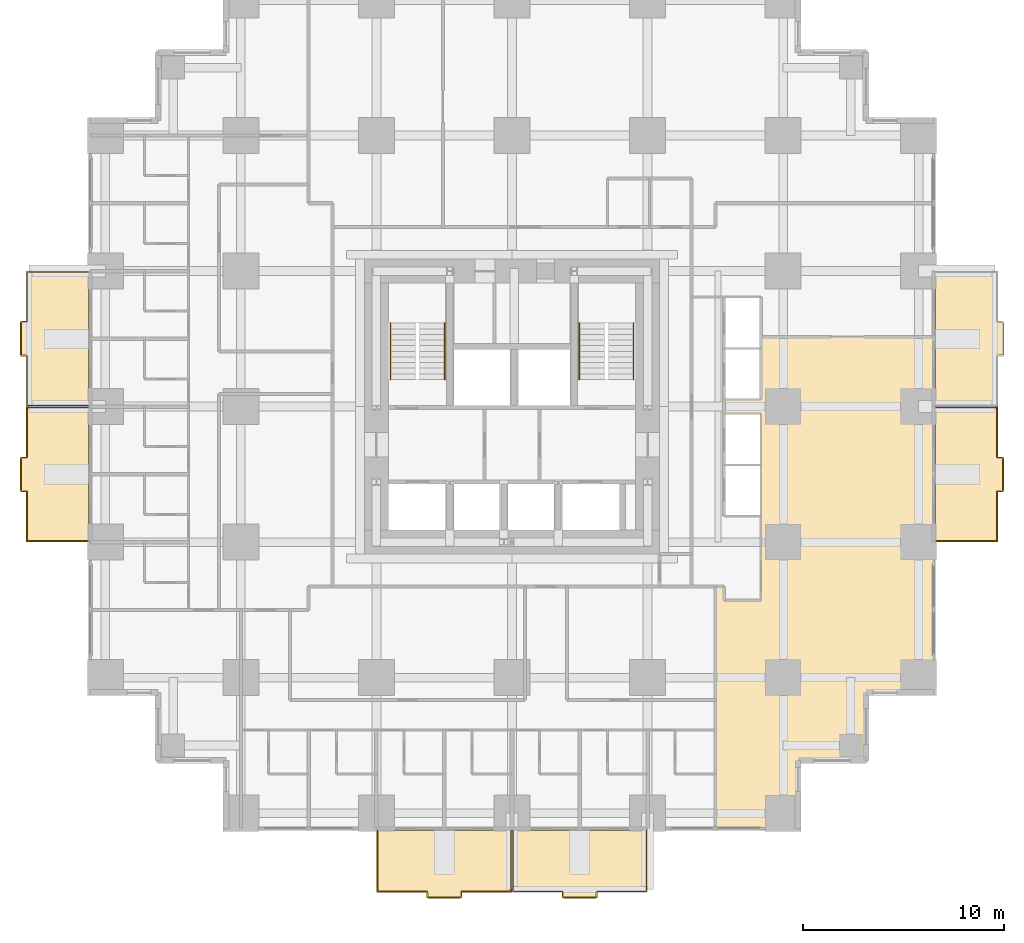
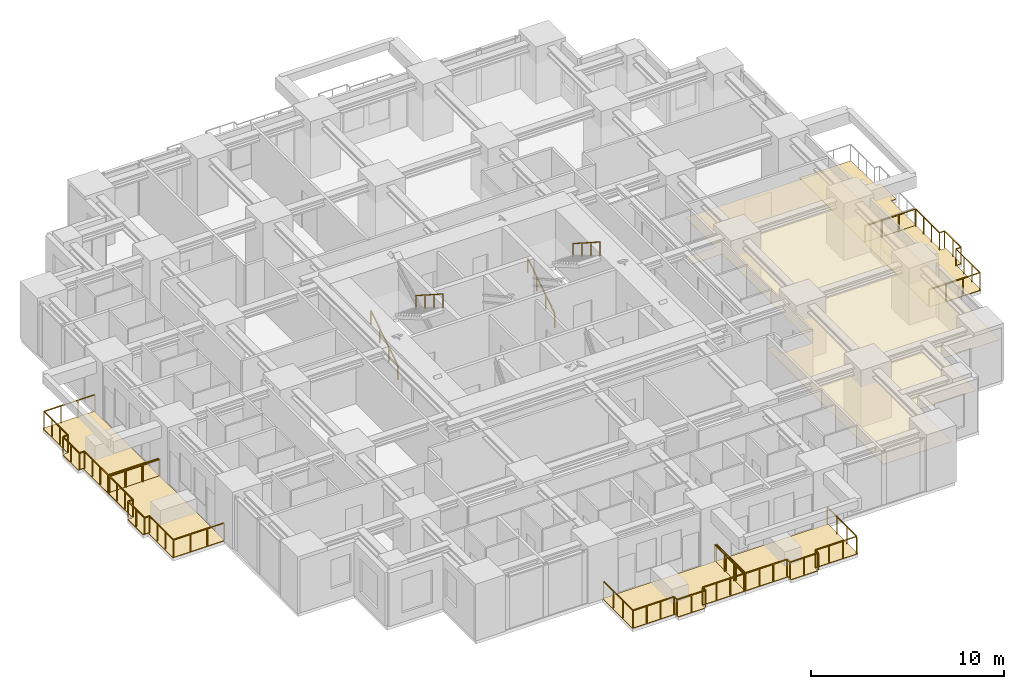
# One storey, part 12 of 13: 9 railings, 7 coverings.
"""IFC4 building model written with IfcOpenShell, lengths in metres."""

from ifc_helpers import new_model, si_unit, direction, frame, origin, origin_2d, place, context, subcontext, project, spatial, polyline, rectangle, outline, extrude, material, layer, layer_set, type_object, element, save


model = new_model("IFC4")

# Units and contexts
model_context = context("Model", 3, precision=1e-05, world=origin(), true_north=direction((0.0, 1.0)))
body_context = subcontext(model_context, "Body", "Model", "MODEL_VIEW")
ifc_project = project(units=[si_unit("LENGTHUNIT", "METRE"), si_unit("AREAUNIT", "SQUARE_METRE"), si_unit("VOLUMEUNIT", "CUBIC_METRE"), si_unit("PLANEANGLEUNIT", "RADIAN"), si_unit("MASSUNIT", "GRAM", prefix="KILO")], contexts=[model_context])

# Site, building, storey
site_placement = place(None, origin())
site = spatial("IfcSite", under=ifc_project, at=site_placement, CompositionType="ELEMENT")
building_placement = place(site_placement, origin())
building = spatial("IfcBuilding", under=site, at=building_placement, Name="Nyansa Garden Tower", CompositionType="ELEMENT")
storey_placement = place(building_placement, frame((0.0, 0.0, 46.800048828125)))
storey = spatial("IfcBuildingStorey", under=building, at=storey_placement, Name="L12", CompositionType="ELEMENT", Elevation=46.800048828125)

# Coverings
ifc_material_1 = material(Name="Perforated timber acoustic ceiling", Category="wood")
ifc_layer_1 = layer(ifc_material_1, 0.02001953125)
ifc_layer_set_1 = layer_set([ifc_layer_1], Name="Acoustic ceiling CL20")
covering_type_1 = type_object("IfcCoveringType", Name="Acoustic ceiling CL20", PredefinedType="CEILING", material=ifc_layer_set_1)
covering_1_placement = place(storey_placement, frame((0.0, 0.0, 2.5048828125)))
element("IfcCovering", 1, at=covering_1_placement, inside=storey, type_object=covering_type_1, Name="Ceiling L12-038", PredefinedType="CEILING", context=body_context, shape_type="SweptSolid", body=[
    extrude(outline(polyline([(30.375, -0.75), (30.375, 11.300048828125), (30.800048828125, 11.300048828125), (30.800048828125, 10.60009765625), (32.64990234375, 10.60009765625), (32.64990234375, 19.89990234375), (30.800048828125, 19.89990234375), (30.800048828125, 20.60009765625), (32.64990234375, 20.60009765625), (32.64990234375, 23.7197265625), (41.25, 23.7197265625), (41.25, 6.0), (37.875, 6.0), (37.875, 2.625), (34.5, 2.625), (34.5, -0.75), (30.375, -0.75)])), origin(), (0.0, 0.0, 1.0), 0.02001953125),
])
ifc_material_2 = material(Name="Hardwood decking on pedestals", Category="wood")
ifc_layer_2 = layer(ifc_material_2, 0.0400390625)
ifc_layer_set_2 = layer_set([ifc_layer_2], Name="Balcony decking DK40")
covering_type_2 = type_object("IfcCoveringType", Name="Balcony decking DK40", PredefinedType="FLOORING", material=ifc_layer_set_2)
covering_2_placement = place(storey_placement, frame((0.0, 0.0, -0.0400390625)))
element("IfcCovering", 2, at=covering_2_placement, inside=storey, type_object=covering_type_2, Name="Balcony decking L12", PredefinedType="FLOORING", context=body_context, shape_type="SweptSolid", body=[
    extrude(outline(polyline([(13.5, -0.85009765625), (20.25, -0.85009765625), (20.25, -3.949951171875), (17.675048828125, -3.949951171875), (17.675048828125, -4.25), (16.074951171875, -4.25), (16.074951171875, -3.949951171875), (13.5, -3.949951171875), (13.5, -0.85009765625)])), origin(), (0.0, 0.0, 1.0), 0.0400390625),
])
covering_3_placement = place(storey_placement, frame((0.0, 0.0, -0.0400390625)))
element("IfcCovering", 3, at=covering_3_placement, inside=storey, type_object=covering_type_2, Name="Balcony decking L12", PredefinedType="FLOORING", context=body_context, shape_type="SweptSolid", body=[
    extrude(outline(polyline([(20.25, -0.85009765625), (27.0, -0.85009765625), (27.0, -3.949951171875), (24.425048828125, -3.949951171875), (24.425048828125, -4.25), (22.824951171875, -4.25), (22.824951171875, -3.949951171875), (20.25, -3.949951171875), (20.25, -0.85009765625)])), origin(), (0.0, 0.0, 1.0), 0.0400390625),
])
covering_4_placement = place(storey_placement, frame((0.0, 0.0, -0.0400390625)))
element("IfcCovering", 4, at=covering_4_placement, inside=storey, type_object=covering_type_2, Name="Balcony decking L12", PredefinedType="FLOORING", context=body_context, shape_type="SweptSolid", body=[
    extrude(outline(polyline([(41.35009765625, 13.5), (41.35009765625, 20.25), (44.449951171875, 20.25), (44.449951171875, 17.675048828125), (44.75, 17.675048828125), (44.75, 16.074951171875), (44.449951171875, 16.074951171875), (44.449951171875, 13.5), (41.35009765625, 13.5)])), origin(), (0.0, 0.0, 1.0), 0.0400390625),
])
covering_5_placement = place(storey_placement, frame((0.0, 0.0, -0.0400390625)))
element("IfcCovering", 5, at=covering_5_placement, inside=storey, type_object=covering_type_2, Name="Balcony decking L12", PredefinedType="FLOORING", context=body_context, shape_type="SweptSolid", body=[
    extrude(outline(polyline([(41.35009765625, 20.25), (41.35009765625, 27.0), (44.449951171875, 27.0), (44.449951171875, 24.425048828125), (44.75, 24.425048828125), (44.75, 22.824951171875), (44.449951171875, 22.824951171875), (44.449951171875, 20.25), (41.35009765625, 20.25)])), origin(), (0.0, 0.0, 1.0), 0.0400390625),
])
covering_6_placement = place(storey_placement, frame((0.0, 0.0, -0.0400390625)))
element("IfcCovering", 6, at=covering_6_placement, inside=storey, type_object=covering_type_2, Name="Balcony decking L12", PredefinedType="FLOORING", context=body_context, shape_type="SweptSolid", body=[
    extrude(outline(polyline([(-0.85009765625, 13.5), (-0.85009765625, 20.25), (-3.949951171875, 20.25), (-3.949951171875, 17.675048828125), (-4.25, 17.675048828125), (-4.25, 16.074951171875), (-3.949951171875, 16.074951171875), (-3.949951171875, 13.5), (-0.85009765625, 13.5)])), origin(), (0.0, 0.0, 1.0), 0.0400390625),
])
covering_7_placement = place(storey_placement, frame((0.0, 0.0, -0.0400390625)))
element("IfcCovering", 7, at=covering_7_placement, inside=storey, type_object=covering_type_2, Name="Balcony decking L12", PredefinedType="FLOORING", context=body_context, shape_type="SweptSolid", body=[
    extrude(outline(polyline([(-0.85009765625, 20.25), (-0.85009765625, 27.0), (-3.949951171875, 27.0), (-3.949951171875, 24.425048828125), (-4.25, 24.425048828125), (-4.25, 22.824951171875), (-3.949951171875, 22.824951171875), (-3.949951171875, 20.25), (-0.85009765625, 20.25)])), origin(), (0.0, 0.0, 1.0), 0.0400390625),
])

# Railings
ifc_material_3 = material(Name="Black powder-coated steel balusters, laminated glass infill", Category="steel")
railing_type_1 = type_object("IfcRailingType", Name="Balcony guard G1", PredefinedType="GUARDRAIL", material=ifc_material_3)
railing_1_placement = place(storey_placement, frame((13.550048828125, -0.85009765625, 0.0)))
element("IfcRailing", 8, at=railing_1_placement, inside=storey, type_object=railing_type_1, Name="Balcony guard L12", PredefinedType="GUARDRAIL", context=body_context, shape_type="SweptSolid", body=[
    extrude(rectangle(XDim=0.048095703125, YDim=0.048095703125, at=origin_2d()), frame((0.0, 0.0, 1.076171875), z_axis=(0.0, -1.0, 0.0), x_axis=(1.0, 0.0, 0.0)), (0.0, 0.0, 1.0), 3.0498046875),
    extrude(rectangle(XDim=0.048095703125, YDim=0.048095703125, at=origin_2d()), frame((0.0, -3.0498046875, 1.076171875), z_axis=(1.0, 0.0, 0.0), x_axis=(0.0, 1.0, 0.0)), (0.0, 0.0, 1.0), 2.474853515625),
    extrude(rectangle(XDim=0.048095703125, YDim=0.048095703125, at=origin_2d()), frame((2.474853515625, -3.0498046875, 1.076171875), z_axis=(0.0, -1.0, 0.0), x_axis=(1.0, 0.0, 0.0)), (0.0, 0.0, 1.0), 0.300048828125),
    extrude(rectangle(XDim=0.048095703125, YDim=0.048095703125, at=origin_2d()), frame((2.474853515625, -3.349853515625, 1.076171875), z_axis=(1.0, 0.0, 0.0), x_axis=(0.0, 1.0, 0.0)), (0.0, 0.0, 1.0), 1.7001953125),
    extrude(rectangle(XDim=0.048095703125, YDim=0.048095703125, at=origin_2d()), frame((4.175048828125, -3.349853515625, 1.076171875), z_axis=(0.0, 1.0, 0.0), x_axis=(-1.0, 0.0, 0.0)), (0.0, 0.0, 1.0), 0.300048828125),
    extrude(rectangle(XDim=0.048095703125, YDim=0.048095703125, at=origin_2d()), frame((4.175048828125, -3.0498046875, 1.076171875), z_axis=(1.0, 0.0, 0.0), x_axis=(0.0, 1.0, 0.0)), (0.0, 0.0, 1.0), 2.474853515625),
    extrude(rectangle(XDim=0.048095703125, YDim=0.048095703125, at=origin_2d()), frame((6.64990234375, -3.0498046875, 1.076171875), z_axis=(0.0, 1.0, 0.0), x_axis=(-1.0, 0.0, 0.0)), (0.0, 0.0, 1.0), 3.0498046875),
    extrude(rectangle(XDim=0.0419921875, YDim=0.0419921875, at=origin_2d()), origin(), (0.0, 0.0, 1.0), 1.052001953125),
    extrude(rectangle(XDim=0.0419921875, YDim=0.0419921875, at=origin_2d()), frame((0.0, -1.0166015625, 0.0)), (0.0, 0.0, 1.0), 1.052001953125),
    extrude(rectangle(XDim=0.0419921875, YDim=0.0419921875, at=origin_2d()), frame((0.0, -2.033203125, 0.0)), (0.0, 0.0, 1.0), 1.052001953125),
    extrude(rectangle(XDim=0.0419921875, YDim=0.0419921875, at=origin_2d()), frame((0.0, -3.0498046875, 0.0)), (0.0, 0.0, 1.0), 1.052001953125),
    extrude(rectangle(XDim=0.0419921875, YDim=0.0419921875, at=origin_2d()), frame((0.824951171875, -3.0498046875, 0.0)), (0.0, 0.0, 1.0), 1.052001953125),
    extrude(rectangle(XDim=0.0419921875, YDim=0.0419921875, at=origin_2d()), frame((1.64990234375, -3.0498046875, 0.0)), (0.0, 0.0, 1.0), 1.052001953125),
    extrude(rectangle(XDim=0.0419921875, YDim=0.0419921875, at=origin_2d()), frame((2.474853515625, -3.0498046875, 0.0)), (0.0, 0.0, 1.0), 1.052001953125),
    extrude(rectangle(XDim=0.0419921875, YDim=0.0419921875, at=origin_2d()), frame((2.474853515625, -3.349853515625, 0.0)), (0.0, 0.0, 1.0), 1.052001953125),
    extrude(rectangle(XDim=0.0419921875, YDim=0.0419921875, at=origin_2d()), frame((3.324951171875, -3.349853515625, 0.0)), (0.0, 0.0, 1.0), 1.052001953125),
    extrude(rectangle(XDim=0.0419921875, YDim=0.0419921875, at=origin_2d()), frame((4.175048828125, -3.349853515625, 0.0)), (0.0, 0.0, 1.0), 1.052001953125),
    extrude(rectangle(XDim=0.0419921875, YDim=0.0419921875, at=origin_2d()), frame((4.175048828125, -3.0498046875, 0.0)), (0.0, 0.0, 1.0), 1.052001953125),
    extrude(rectangle(XDim=0.0419921875, YDim=0.0419921875, at=origin_2d()), frame((5.0, -3.0498046875, 0.0)), (0.0, 0.0, 1.0), 1.052001953125),
    extrude(rectangle(XDim=0.0419921875, YDim=0.0419921875, at=origin_2d()), frame((5.824951171875, -3.0498046875, 0.0)), (0.0, 0.0, 1.0), 1.052001953125),
    extrude(rectangle(XDim=0.0419921875, YDim=0.0419921875, at=origin_2d()), frame((6.64990234375, -3.0498046875, 0.0)), (0.0, 0.0, 1.0), 1.052001953125),
    extrude(rectangle(XDim=0.0419921875, YDim=0.0419921875, at=origin_2d()), frame((6.64990234375, -2.033203125, 0.0)), (0.0, 0.0, 1.0), 1.052001953125),
    extrude(rectangle(XDim=0.0419921875, YDim=0.0419921875, at=origin_2d()), frame((6.64990234375, -1.0166015625, 0.0)), (0.0, 0.0, 1.0), 1.052001953125),
    extrude(rectangle(XDim=0.0419921875, YDim=0.0419921875, at=origin_2d()), frame((6.64990234375, 0.0, 0.0)), (0.0, 0.0, 1.0), 1.052001953125),
])
railing_2_placement = place(storey_placement, frame((20.300048828125, -0.85009765625, 0.0)))
element("IfcRailing", 9, at=railing_2_placement, inside=storey, type_object=railing_type_1, Name="Balcony guard L12", PredefinedType="GUARDRAIL", context=body_context, shape_type="SweptSolid", body=[
    extrude(rectangle(XDim=0.048095703125, YDim=0.048095703125, at=origin_2d()), frame((0.0, 0.0, 1.076171875), z_axis=(0.0, -1.0, 0.0), x_axis=(1.0, 0.0, 0.0)), (0.0, 0.0, 1.0), 3.0498046875),
    extrude(rectangle(XDim=0.048095703125, YDim=0.048095703125, at=origin_2d()), frame((0.0, -3.0498046875, 1.076171875), z_axis=(1.0, 0.0, 0.0), x_axis=(0.0, 1.0, 0.0)), (0.0, 0.0, 1.0), 2.474853515625),
    extrude(rectangle(XDim=0.048095703125, YDim=0.048095703125, at=origin_2d()), frame((2.474853515625, -3.0498046875, 1.076171875), z_axis=(0.0, -1.0, 0.0), x_axis=(1.0, 0.0, 0.0)), (0.0, 0.0, 1.0), 0.300048828125),
    extrude(rectangle(XDim=0.048095703125, YDim=0.048095703125, at=origin_2d()), frame((2.474853515625, -3.349853515625, 1.076171875), z_axis=(1.0, 0.0, 0.0), x_axis=(0.0, 1.0, 0.0)), (0.0, 0.0, 1.0), 1.7001953125),
    extrude(rectangle(XDim=0.048095703125, YDim=0.048095703125, at=origin_2d()), frame((4.175048828125, -3.349853515625, 1.076171875), z_axis=(0.0, 1.0, 0.0), x_axis=(-1.0, 0.0, 0.0)), (0.0, 0.0, 1.0), 0.300048828125),
    extrude(rectangle(XDim=0.048095703125, YDim=0.048095703125, at=origin_2d()), frame((4.175048828125, -3.0498046875, 1.076171875), z_axis=(1.0, 0.0, 0.0), x_axis=(0.0, 1.0, 0.0)), (0.0, 0.0, 1.0), 2.474853515625),
    extrude(rectangle(XDim=0.048095703125, YDim=0.048095703125, at=origin_2d()), frame((6.64990234375, -3.0498046875, 1.076171875), z_axis=(0.0, 1.0, 0.0), x_axis=(-1.0, 0.0, 0.0)), (0.0, 0.0, 1.0), 3.0498046875),
    extrude(rectangle(XDim=0.0419921875, YDim=0.0419921875, at=origin_2d()), origin(), (0.0, 0.0, 1.0), 1.052001953125),
    extrude(rectangle(XDim=0.0419921875, YDim=0.0419921875, at=origin_2d()), frame((0.0, -1.0166015625, 0.0)), (0.0, 0.0, 1.0), 1.052001953125),
    extrude(rectangle(XDim=0.0419921875, YDim=0.0419921875, at=origin_2d()), frame((0.0, -2.033203125, 0.0)), (0.0, 0.0, 1.0), 1.052001953125),
    extrude(rectangle(XDim=0.0419921875, YDim=0.0419921875, at=origin_2d()), frame((0.0, -3.0498046875, 0.0)), (0.0, 0.0, 1.0), 1.052001953125),
    extrude(rectangle(XDim=0.0419921875, YDim=0.0419921875, at=origin_2d()), frame((0.824951171875, -3.0498046875, 0.0)), (0.0, 0.0, 1.0), 1.052001953125),
    extrude(rectangle(XDim=0.0419921875, YDim=0.0419921875, at=origin_2d()), frame((1.64990234375, -3.0498046875, 0.0)), (0.0, 0.0, 1.0), 1.052001953125),
    extrude(rectangle(XDim=0.0419921875, YDim=0.0419921875, at=origin_2d()), frame((2.474853515625, -3.0498046875, 0.0)), (0.0, 0.0, 1.0), 1.052001953125),
    extrude(rectangle(XDim=0.0419921875, YDim=0.0419921875, at=origin_2d()), frame((2.474853515625, -3.349853515625, 0.0)), (0.0, 0.0, 1.0), 1.052001953125),
    extrude(rectangle(XDim=0.0419921875, YDim=0.0419921875, at=origin_2d()), frame((3.324951171875, -3.349853515625, 0.0)), (0.0, 0.0, 1.0), 1.052001953125),
    extrude(rectangle(XDim=0.0419921875, YDim=0.0419921875, at=origin_2d()), frame((4.175048828125, -3.349853515625, 0.0)), (0.0, 0.0, 1.0), 1.052001953125),
    extrude(rectangle(XDim=0.0419921875, YDim=0.0419921875, at=origin_2d()), frame((4.175048828125, -3.0498046875, 0.0)), (0.0, 0.0, 1.0), 1.052001953125),
    extrude(rectangle(XDim=0.0419921875, YDim=0.0419921875, at=origin_2d()), frame((5.0, -3.0498046875, 0.0)), (0.0, 0.0, 1.0), 1.052001953125),
    extrude(rectangle(XDim=0.0419921875, YDim=0.0419921875, at=origin_2d()), frame((5.824951171875, -3.0498046875, 0.0)), (0.0, 0.0, 1.0), 1.052001953125),
    extrude(rectangle(XDim=0.0419921875, YDim=0.0419921875, at=origin_2d()), frame((6.64990234375, -3.0498046875, 0.0)), (0.0, 0.0, 1.0), 1.052001953125),
    extrude(rectangle(XDim=0.0419921875, YDim=0.0419921875, at=origin_2d()), frame((6.64990234375, -2.033203125, 0.0)), (0.0, 0.0, 1.0), 1.052001953125),
    extrude(rectangle(XDim=0.0419921875, YDim=0.0419921875, at=origin_2d()), frame((6.64990234375, -1.0166015625, 0.0)), (0.0, 0.0, 1.0), 1.052001953125),
    extrude(rectangle(XDim=0.0419921875, YDim=0.0419921875, at=origin_2d()), frame((6.64990234375, 0.0, 0.0)), (0.0, 0.0, 1.0), 1.052001953125),
])
railing_3_placement = place(storey_placement, frame((41.35009765625, 13.550048828125, 0.0)))
element("IfcRailing", 10, at=railing_3_placement, inside=storey, type_object=railing_type_1, Name="Balcony guard L12", PredefinedType="GUARDRAIL", context=body_context, shape_type="SweptSolid", body=[
    extrude(rectangle(XDim=0.048095703125, YDim=0.048095703125, at=origin_2d()), frame((0.0, 0.0, 1.076171875), z_axis=(1.0, 0.0, 0.0), x_axis=(0.0, 1.0, 0.0)), (0.0, 0.0, 1.0), 3.0498046875),
    extrude(rectangle(XDim=0.048095703125, YDim=0.048095703125, at=origin_2d()), frame((3.0498046875, 0.0, 1.076171875), z_axis=(0.0, 1.0, 0.0), x_axis=(-1.0, 0.0, 0.0)), (0.0, 0.0, 1.0), 2.474853515625),
    extrude(rectangle(XDim=0.048095703125, YDim=0.048095703125, at=origin_2d()), frame((3.0498046875, 2.474853515625, 1.076171875), z_axis=(1.0, 0.0, 0.0), x_axis=(0.0, 1.0, 0.0)), (0.0, 0.0, 1.0), 0.300048828125),
    extrude(rectangle(XDim=0.048095703125, YDim=0.048095703125, at=origin_2d()), frame((3.349853515625, 2.474853515625, 1.076171875), z_axis=(0.0, 1.0, 0.0), x_axis=(-1.0, 0.0, 0.0)), (0.0, 0.0, 1.0), 1.7001953125),
    extrude(rectangle(XDim=0.048095703125, YDim=0.048095703125, at=origin_2d()), frame((3.349853515625, 4.175048828125, 1.076171875), z_axis=(-1.0, 0.0, 0.0), x_axis=(0.0, -1.0, 0.0)), (0.0, 0.0, 1.0), 0.300048828125),
    extrude(rectangle(XDim=0.048095703125, YDim=0.048095703125, at=origin_2d()), frame((3.0498046875, 4.175048828125, 1.076171875), z_axis=(0.0, 1.0, 0.0), x_axis=(-1.0, 0.0, 0.0)), (0.0, 0.0, 1.0), 2.474853515625),
    extrude(rectangle(XDim=0.048095703125, YDim=0.048095703125, at=origin_2d()), frame((3.0498046875, 6.64990234375, 1.076171875), z_axis=(-1.0, 0.0, 0.0), x_axis=(0.0, -1.0, 0.0)), (0.0, 0.0, 1.0), 3.0498046875),
    extrude(rectangle(XDim=0.0419921875, YDim=0.0419921875, at=origin_2d()), origin(), (0.0, 0.0, 1.0), 1.052001953125),
    extrude(rectangle(XDim=0.0419921875, YDim=0.0419921875, at=origin_2d()), frame((1.0166015625, 0.0, 0.0)), (0.0, 0.0, 1.0), 1.052001953125),
    extrude(rectangle(XDim=0.0419921875, YDim=0.0419921875, at=origin_2d()), frame((2.033203125, 0.0, 0.0)), (0.0, 0.0, 1.0), 1.052001953125),
    extrude(rectangle(XDim=0.0419921875, YDim=0.0419921875, at=origin_2d()), frame((3.0498046875, 0.0, 0.0)), (0.0, 0.0, 1.0), 1.052001953125),
    extrude(rectangle(XDim=0.0419921875, YDim=0.0419921875, at=origin_2d()), frame((3.0498046875, 0.824951171875, 0.0)), (0.0, 0.0, 1.0), 1.052001953125),
    extrude(rectangle(XDim=0.0419921875, YDim=0.0419921875, at=origin_2d()), frame((3.0498046875, 1.64990234375, 0.0)), (0.0, 0.0, 1.0), 1.052001953125),
    extrude(rectangle(XDim=0.0419921875, YDim=0.0419921875, at=origin_2d()), frame((3.0498046875, 2.474853515625, 0.0)), (0.0, 0.0, 1.0), 1.052001953125),
    extrude(rectangle(XDim=0.0419921875, YDim=0.0419921875, at=origin_2d()), frame((3.349853515625, 2.474853515625, 0.0)), (0.0, 0.0, 1.0), 1.052001953125),
    extrude(rectangle(XDim=0.0419921875, YDim=0.0419921875, at=origin_2d()), frame((3.349853515625, 3.324951171875, 0.0)), (0.0, 0.0, 1.0), 1.052001953125),
    extrude(rectangle(XDim=0.0419921875, YDim=0.0419921875, at=origin_2d()), frame((3.349853515625, 4.175048828125, 0.0)), (0.0, 0.0, 1.0), 1.052001953125),
    extrude(rectangle(XDim=0.0419921875, YDim=0.0419921875, at=origin_2d()), frame((3.0498046875, 4.175048828125, 0.0)), (0.0, 0.0, 1.0), 1.052001953125),
    extrude(rectangle(XDim=0.0419921875, YDim=0.0419921875, at=origin_2d()), frame((3.0498046875, 5.0, 0.0)), (0.0, 0.0, 1.0), 1.052001953125),
    extrude(rectangle(XDim=0.0419921875, YDim=0.0419921875, at=origin_2d()), frame((3.0498046875, 5.824951171875, 0.0)), (0.0, 0.0, 1.0), 1.052001953125),
    extrude(rectangle(XDim=0.0419921875, YDim=0.0419921875, at=origin_2d()), frame((3.0498046875, 6.64990234375, 0.0)), (0.0, 0.0, 1.0), 1.052001953125),
    extrude(rectangle(XDim=0.0419921875, YDim=0.0419921875, at=origin_2d()), frame((2.033203125, 6.64990234375, 0.0)), (0.0, 0.0, 1.0), 1.052001953125),
    extrude(rectangle(XDim=0.0419921875, YDim=0.0419921875, at=origin_2d()), frame((1.0166015625, 6.64990234375, 0.0)), (0.0, 0.0, 1.0), 1.052001953125),
    extrude(rectangle(XDim=0.0419921875, YDim=0.0419921875, at=origin_2d()), frame((0.0, 6.64990234375, 0.0)), (0.0, 0.0, 1.0), 1.052001953125),
])
railing_4_placement = place(storey_placement, frame((-0.85009765625, 13.550048828125, 0.0)))
element("IfcRailing", 11, at=railing_4_placement, inside=storey, type_object=railing_type_1, Name="Balcony guard L12", PredefinedType="GUARDRAIL", context=body_context, shape_type="SweptSolid", body=[
    extrude(rectangle(XDim=0.048095703125, YDim=0.048095703125, at=origin_2d()), frame((0.0, 0.0, 1.076171875), z_axis=(-1.0, 0.0, 0.0), x_axis=(0.0, -1.0, 0.0)), (0.0, 0.0, 1.0), 3.0498046875),
    extrude(rectangle(XDim=0.048095703125, YDim=0.048095703125, at=origin_2d()), frame((-3.0498046875, 0.0, 1.076171875), z_axis=(0.0, 1.0, 0.0), x_axis=(-1.0, 0.0, 0.0)), (0.0, 0.0, 1.0), 2.474853515625),
    extrude(rectangle(XDim=0.048095703125, YDim=0.048095703125, at=origin_2d()), frame((-3.0498046875, 2.474853515625, 1.076171875), z_axis=(-1.0, 0.0, 0.0), x_axis=(0.0, -1.0, 0.0)), (0.0, 0.0, 1.0), 0.300048828125),
    extrude(rectangle(XDim=0.048095703125, YDim=0.048095703125, at=origin_2d()), frame((-3.349853515625, 2.474853515625, 1.076171875), z_axis=(0.0, 1.0, 0.0), x_axis=(-1.0, 0.0, 0.0)), (0.0, 0.0, 1.0), 1.7001953125),
    extrude(rectangle(XDim=0.048095703125, YDim=0.048095703125, at=origin_2d()), frame((-3.349853515625, 4.175048828125, 1.076171875), z_axis=(1.0, 0.0, 0.0), x_axis=(0.0, 1.0, 0.0)), (0.0, 0.0, 1.0), 0.300048828125),
    extrude(rectangle(XDim=0.048095703125, YDim=0.048095703125, at=origin_2d()), frame((-3.0498046875, 4.175048828125, 1.076171875), z_axis=(0.0, 1.0, 0.0), x_axis=(-1.0, 0.0, 0.0)), (0.0, 0.0, 1.0), 2.474853515625),
    extrude(rectangle(XDim=0.048095703125, YDim=0.048095703125, at=origin_2d()), frame((-3.0498046875, 6.64990234375, 1.076171875), z_axis=(1.0, 0.0, 0.0), x_axis=(0.0, 1.0, 0.0)), (0.0, 0.0, 1.0), 3.0498046875),
    extrude(rectangle(XDim=0.0419921875, YDim=0.0419921875, at=origin_2d()), origin(), (0.0, 0.0, 1.0), 1.052001953125),
    extrude(rectangle(XDim=0.0419921875, YDim=0.0419921875, at=origin_2d()), frame((-1.0166015625, 0.0, 0.0)), (0.0, 0.0, 1.0), 1.052001953125),
    extrude(rectangle(XDim=0.0419921875, YDim=0.0419921875, at=origin_2d()), frame((-2.033203125, 0.0, 0.0)), (0.0, 0.0, 1.0), 1.052001953125),
    extrude(rectangle(XDim=0.0419921875, YDim=0.0419921875, at=origin_2d()), frame((-3.0498046875, 0.0, 0.0)), (0.0, 0.0, 1.0), 1.052001953125),
    extrude(rectangle(XDim=0.0419921875, YDim=0.0419921875, at=origin_2d()), frame((-3.0498046875, 0.824951171875, 0.0)), (0.0, 0.0, 1.0), 1.052001953125),
    extrude(rectangle(XDim=0.0419921875, YDim=0.0419921875, at=origin_2d()), frame((-3.0498046875, 1.64990234375, 0.0)), (0.0, 0.0, 1.0), 1.052001953125),
    extrude(rectangle(XDim=0.0419921875, YDim=0.0419921875, at=origin_2d()), frame((-3.0498046875, 2.474853515625, 0.0)), (0.0, 0.0, 1.0), 1.052001953125),
    extrude(rectangle(XDim=0.0419921875, YDim=0.0419921875, at=origin_2d()), frame((-3.349853515625, 2.474853515625, 0.0)), (0.0, 0.0, 1.0), 1.052001953125),
    extrude(rectangle(XDim=0.0419921875, YDim=0.0419921875, at=origin_2d()), frame((-3.349853515625, 3.324951171875, 0.0)), (0.0, 0.0, 1.0), 1.052001953125),
    extrude(rectangle(XDim=0.0419921875, YDim=0.0419921875, at=origin_2d()), frame((-3.349853515625, 4.175048828125, 0.0)), (0.0, 0.0, 1.0), 1.052001953125),
    extrude(rectangle(XDim=0.0419921875, YDim=0.0419921875, at=origin_2d()), frame((-3.0498046875, 4.175048828125, 0.0)), (0.0, 0.0, 1.0), 1.052001953125),
    extrude(rectangle(XDim=0.0419921875, YDim=0.0419921875, at=origin_2d()), frame((-3.0498046875, 5.0, 0.0)), (0.0, 0.0, 1.0), 1.052001953125),
    extrude(rectangle(XDim=0.0419921875, YDim=0.0419921875, at=origin_2d()), frame((-3.0498046875, 5.824951171875, 0.0)), (0.0, 0.0, 1.0), 1.052001953125),
    extrude(rectangle(XDim=0.0419921875, YDim=0.0419921875, at=origin_2d()), frame((-3.0498046875, 6.64990234375, 0.0)), (0.0, 0.0, 1.0), 1.052001953125),
    extrude(rectangle(XDim=0.0419921875, YDim=0.0419921875, at=origin_2d()), frame((-2.033203125, 6.64990234375, 0.0)), (0.0, 0.0, 1.0), 1.052001953125),
    extrude(rectangle(XDim=0.0419921875, YDim=0.0419921875, at=origin_2d()), frame((-1.0166015625, 6.64990234375, 0.0)), (0.0, 0.0, 1.0), 1.052001953125),
    extrude(rectangle(XDim=0.0419921875, YDim=0.0419921875, at=origin_2d()), frame((0.0, 6.64990234375, 0.0)), (0.0, 0.0, 1.0), 1.052001953125),
])
railing_5_placement = place(storey_placement, frame((-0.85009765625, 20.300048828125, 0.0)))
element("IfcRailing", 12, at=railing_5_placement, inside=storey, type_object=railing_type_1, Name="Balcony guard L12", PredefinedType="GUARDRAIL", context=body_context, shape_type="SweptSolid", body=[
    extrude(rectangle(XDim=0.048095703125, YDim=0.048095703125, at=origin_2d()), frame((0.0, 0.0, 1.076171875), z_axis=(-1.0, 0.0, 0.0), x_axis=(0.0, -1.0, 0.0)), (0.0, 0.0, 1.0), 3.0498046875),
    extrude(rectangle(XDim=0.048095703125, YDim=0.048095703125, at=origin_2d()), frame((-3.0498046875, 0.0, 1.076171875), z_axis=(0.0, 1.0, 0.0), x_axis=(-1.0, 0.0, 0.0)), (0.0, 0.0, 1.0), 2.474853515625),
    extrude(rectangle(XDim=0.048095703125, YDim=0.048095703125, at=origin_2d()), frame((-3.0498046875, 2.474853515625, 1.076171875), z_axis=(-1.0, 0.0, 0.0), x_axis=(0.0, -1.0, 0.0)), (0.0, 0.0, 1.0), 0.300048828125),
    extrude(rectangle(XDim=0.048095703125, YDim=0.048095703125, at=origin_2d()), frame((-3.349853515625, 2.474853515625, 1.076171875), z_axis=(0.0, 1.0, 0.0), x_axis=(-1.0, 0.0, 0.0)), (0.0, 0.0, 1.0), 1.7001953125),
    extrude(rectangle(XDim=0.048095703125, YDim=0.048095703125, at=origin_2d()), frame((-3.349853515625, 4.175048828125, 1.076171875), z_axis=(1.0, 0.0, 0.0), x_axis=(0.0, 1.0, 0.0)), (0.0, 0.0, 1.0), 0.300048828125),
    extrude(rectangle(XDim=0.048095703125, YDim=0.048095703125, at=origin_2d()), frame((-3.0498046875, 4.175048828125, 1.076171875), z_axis=(0.0, 1.0, 0.0), x_axis=(-1.0, 0.0, 0.0)), (0.0, 0.0, 1.0), 2.474853515625),
    extrude(rectangle(XDim=0.048095703125, YDim=0.048095703125, at=origin_2d()), frame((-3.0498046875, 6.64990234375, 1.076171875), z_axis=(1.0, 0.0, 0.0), x_axis=(0.0, 1.0, 0.0)), (0.0, 0.0, 1.0), 3.0498046875),
    extrude(rectangle(XDim=0.0419921875, YDim=0.0419921875, at=origin_2d()), origin(), (0.0, 0.0, 1.0), 1.052001953125),
    extrude(rectangle(XDim=0.0419921875, YDim=0.0419921875, at=origin_2d()), frame((-1.0166015625, 0.0, 0.0)), (0.0, 0.0, 1.0), 1.052001953125),
    extrude(rectangle(XDim=0.0419921875, YDim=0.0419921875, at=origin_2d()), frame((-2.033203125, 0.0, 0.0)), (0.0, 0.0, 1.0), 1.052001953125),
    extrude(rectangle(XDim=0.0419921875, YDim=0.0419921875, at=origin_2d()), frame((-3.0498046875, 0.0, 0.0)), (0.0, 0.0, 1.0), 1.052001953125),
    extrude(rectangle(XDim=0.0419921875, YDim=0.0419921875, at=origin_2d()), frame((-3.0498046875, 0.824951171875, 0.0)), (0.0, 0.0, 1.0), 1.052001953125),
    extrude(rectangle(XDim=0.0419921875, YDim=0.0419921875, at=origin_2d()), frame((-3.0498046875, 1.64990234375, 0.0)), (0.0, 0.0, 1.0), 1.052001953125),
    extrude(rectangle(XDim=0.0419921875, YDim=0.0419921875, at=origin_2d()), frame((-3.0498046875, 2.474853515625, 0.0)), (0.0, 0.0, 1.0), 1.052001953125),
    extrude(rectangle(XDim=0.0419921875, YDim=0.0419921875, at=origin_2d()), frame((-3.349853515625, 2.474853515625, 0.0)), (0.0, 0.0, 1.0), 1.052001953125),
    extrude(rectangle(XDim=0.0419921875, YDim=0.0419921875, at=origin_2d()), frame((-3.349853515625, 3.324951171875, 0.0)), (0.0, 0.0, 1.0), 1.052001953125),
    extrude(rectangle(XDim=0.0419921875, YDim=0.0419921875, at=origin_2d()), frame((-3.349853515625, 4.175048828125, 0.0)), (0.0, 0.0, 1.0), 1.052001953125),
    extrude(rectangle(XDim=0.0419921875, YDim=0.0419921875, at=origin_2d()), frame((-3.0498046875, 4.175048828125, 0.0)), (0.0, 0.0, 1.0), 1.052001953125),
    extrude(rectangle(XDim=0.0419921875, YDim=0.0419921875, at=origin_2d()), frame((-3.0498046875, 5.0, 0.0)), (0.0, 0.0, 1.0), 1.052001953125),
    extrude(rectangle(XDim=0.0419921875, YDim=0.0419921875, at=origin_2d()), frame((-3.0498046875, 5.824951171875, 0.0)), (0.0, 0.0, 1.0), 1.052001953125),
    extrude(rectangle(XDim=0.0419921875, YDim=0.0419921875, at=origin_2d()), frame((-3.0498046875, 6.64990234375, 0.0)), (0.0, 0.0, 1.0), 1.052001953125),
    extrude(rectangle(XDim=0.0419921875, YDim=0.0419921875, at=origin_2d()), frame((-2.033203125, 6.64990234375, 0.0)), (0.0, 0.0, 1.0), 1.052001953125),
    extrude(rectangle(XDim=0.0419921875, YDim=0.0419921875, at=origin_2d()), frame((-1.0166015625, 6.64990234375, 0.0)), (0.0, 0.0, 1.0), 1.052001953125),
    extrude(rectangle(XDim=0.0419921875, YDim=0.0419921875, at=origin_2d()), frame((0.0, 6.64990234375, 0.0)), (0.0, 0.0, 1.0), 1.052001953125),
])
ifc_material_4 = material(Name="Black powder-coated steel tube 48 mm", Category="steel")
railing_type_2 = type_object("IfcRailingType", Name="Stair handrail HR1", PredefinedType="HANDRAIL", material=ifc_material_4)
railing_6_placement = place(storey_placement, frame((14.199951171875, 21.60009765625, 0.0)))
element("IfcRailing", 13, at=railing_6_placement, inside=storey, type_object=railing_type_2, Name="Stair S1 handrail L12", PredefinedType="HANDRAIL", context=body_context, shape_type="SweptSolid", body=[
    extrude(rectangle(XDim=0.048095703125, YDim=0.048095703125, at=origin_2d()), frame((0.0, 0.0, 0.8759765625), z_axis=(0.0, 0.841154643086, 0.54079466197), x_axis=(-1.0, 0.0, 0.0)), (0.0, 0.0, 1.0), 3.32861328125),
    extrude(rectangle(XDim=0.0419921875, YDim=0.0419921875, at=origin_2d()), origin(), (0.0, 0.0, 1.0), 0.851806640625),
    extrude(rectangle(XDim=0.0419921875, YDim=0.0419921875, at=origin_2d()), frame((0.0, 0.933349609375, 0.60009765625)), (0.0, 0.0, 1.0), 0.851806640625),
    extrude(rectangle(XDim=0.0419921875, YDim=0.0419921875, at=origin_2d()), frame((0.0, 1.866455078125, 1.199951171875)), (0.0, 0.0, 1.0), 0.851806640625),
    extrude(rectangle(XDim=0.0419921875, YDim=0.0419921875, at=origin_2d()), frame((0.0, 2.7998046875, 1.800048828125)), (0.0, 0.0, 1.0), 0.851806640625),
])
railing_7_placement = place(storey_placement, frame((16.89990234375, 24.39990234375, 1.800048828125)))
element("IfcRailing", 14, at=railing_7_placement, inside=storey, type_object=railing_type_2, Name="Stair S1 handrail L12", PredefinedType="HANDRAIL", context=body_context, shape_type="SweptSolid", body=[
    extrude(rectangle(XDim=0.048095703125, YDim=0.048095703125, at=origin_2d()), frame((0.0, 0.0, 0.8759765625), z_axis=(0.0, -0.841188008214, 0.540742762169), x_axis=(1.0, 0.0, 0.0)), (0.0, 0.0, 1.0), 3.328369140625),
    extrude(rectangle(XDim=0.0419921875, YDim=0.0419921875, at=origin_2d()), origin(), (0.0, 0.0, 1.0), 0.851806640625),
    extrude(rectangle(XDim=0.0419921875, YDim=0.0419921875, at=origin_2d()), frame((0.0, -0.933349609375, 0.599853515625)), (0.0, 0.0, 1.0), 0.851806640625),
    extrude(rectangle(XDim=0.0419921875, YDim=0.0419921875, at=origin_2d()), frame((0.0, -1.866455078125, 1.199951171875)), (0.0, 0.0, 1.0), 0.851806640625),
    extrude(rectangle(XDim=0.0419921875, YDim=0.0419921875, at=origin_2d()), frame((0.0, -2.7998046875, 1.7998046875)), (0.0, 0.0, 1.0), 0.851806640625),
])
railing_8_placement = place(storey_placement, frame((23.60009765625, 21.60009765625, 0.0)))
element("IfcRailing", 15, at=railing_8_placement, inside=storey, type_object=railing_type_2, Name="Stair S2 handrail L12", PredefinedType="HANDRAIL", context=body_context, shape_type="SweptSolid", body=[
    extrude(rectangle(XDim=0.048095703125, YDim=0.048095703125, at=origin_2d()), frame((0.0, 0.0, 0.8759765625), z_axis=(0.0, 0.841154643086, 0.54079466197), x_axis=(-1.0, 0.0, 0.0)), (0.0, 0.0, 1.0), 3.32861328125),
    extrude(rectangle(XDim=0.0419921875, YDim=0.0419921875, at=origin_2d()), origin(), (0.0, 0.0, 1.0), 0.851806640625),
    extrude(rectangle(XDim=0.0419921875, YDim=0.0419921875, at=origin_2d()), frame((0.0, 0.933349609375, 0.60009765625)), (0.0, 0.0, 1.0), 0.851806640625),
    extrude(rectangle(XDim=0.0419921875, YDim=0.0419921875, at=origin_2d()), frame((0.0, 1.866455078125, 1.199951171875)), (0.0, 0.0, 1.0), 0.851806640625),
    extrude(rectangle(XDim=0.0419921875, YDim=0.0419921875, at=origin_2d()), frame((0.0, 2.7998046875, 1.800048828125)), (0.0, 0.0, 1.0), 0.851806640625),
])
railing_9_placement = place(storey_placement, frame((26.300048828125, 24.39990234375, 1.800048828125)))
element("IfcRailing", 16, at=railing_9_placement, inside=storey, type_object=railing_type_2, Name="Stair S2 handrail L12", PredefinedType="HANDRAIL", context=body_context, shape_type="SweptSolid", body=[
    extrude(rectangle(XDim=0.048095703125, YDim=0.048095703125, at=origin_2d()), frame((0.0, 0.0, 0.8759765625), z_axis=(0.0, -0.841188008214, 0.540742762169), x_axis=(1.0, 0.0, 0.0)), (0.0, 0.0, 1.0), 3.328369140625),
    extrude(rectangle(XDim=0.0419921875, YDim=0.0419921875, at=origin_2d()), origin(), (0.0, 0.0, 1.0), 0.851806640625),
    extrude(rectangle(XDim=0.0419921875, YDim=0.0419921875, at=origin_2d()), frame((0.0, -0.933349609375, 0.599853515625)), (0.0, 0.0, 1.0), 0.851806640625),
    extrude(rectangle(XDim=0.0419921875, YDim=0.0419921875, at=origin_2d()), frame((0.0, -1.866455078125, 1.199951171875)), (0.0, 0.0, 1.0), 0.851806640625),
    extrude(rectangle(XDim=0.0419921875, YDim=0.0419921875, at=origin_2d()), frame((0.0, -2.7998046875, 1.7998046875)), (0.0, 0.0, 1.0), 0.851806640625),
])

save(model, "model.ifc")
